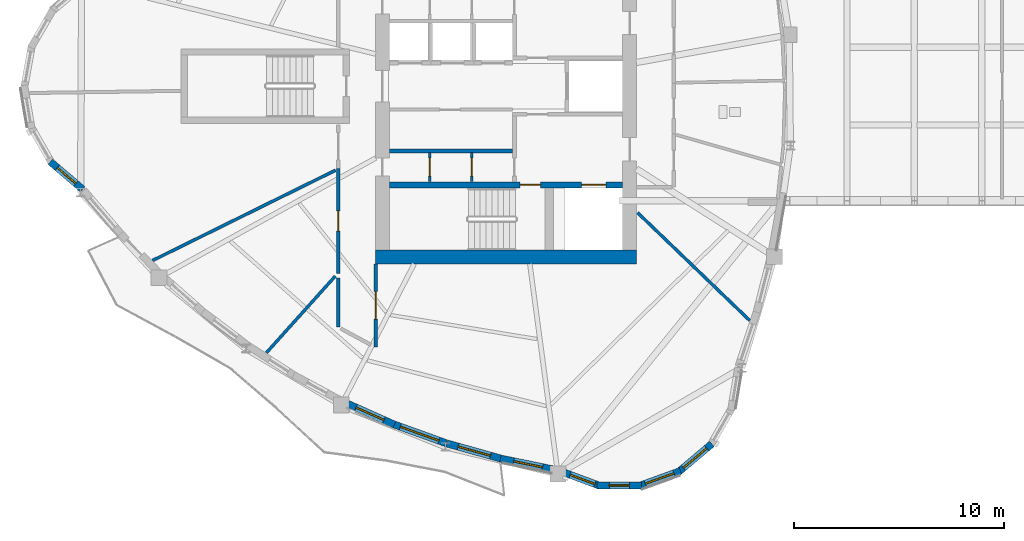
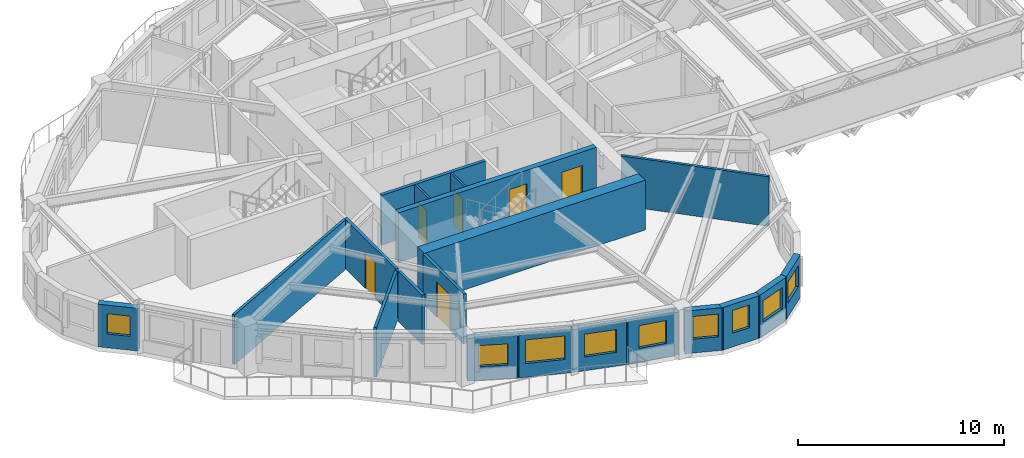
# One storey, part 4 of 13: 20 walls, 9 windows, 6 doors, 15 openings.
"""IFC4 building model written with IfcOpenShell, lengths in metres."""

from ifc_helpers import new_model, si_unit, direction, frame, frame_2d, origin, place, context, subcontext, project, spatial, rectangle, extrude, source, transform, mapped, material, layer, layer_set, type_object, element, fill, save


model = new_model("IFC4")

# Units and contexts
model_context = context("Model", 3, precision=1e-05, world=origin(), true_north=direction((0.0, 1.0)))
body_context = subcontext(model_context, "Body", "Model", "MODEL_VIEW")
ifc_project = project(units=[si_unit("LENGTHUNIT", "METRE"), si_unit("AREAUNIT", "SQUARE_METRE"), si_unit("VOLUMEUNIT", "CUBIC_METRE"), si_unit("PLANEANGLEUNIT", "RADIAN"), si_unit("MASSUNIT", "GRAM", prefix="KILO")], contexts=[model_context])

# Site, building, storey
site_placement = place(None, origin())
site = spatial("IfcSite", under=ifc_project, at=site_placement, CompositionType="ELEMENT")
building_placement = place(site_placement, origin())
building = spatial("IfcBuilding", under=site, at=building_placement, Name="Qafzar Sky-Pleat Residences", CompositionType="ELEMENT")
storey_placement = place(building_placement, frame((0.0, 0.0, 158.60009765625)))
storey = spatial("IfcBuildingStorey", under=building, at=storey_placement, Name="L47", CompositionType="ELEMENT", Elevation=158.60009765625)

# Wall, opening, door
ifc_material_1 = material(Name="Acoustic gypsum plasterboard partition", Category="gypsum")
ifc_layer_1 = layer(ifc_material_1, 0.159912109375)
ifc_layer_set_1 = layer_set([ifc_layer_1], Name="Acoustic gypsum plasterboard partition")
wall_type_1 = type_object("IfcWallType", Name="PART-COR-160", PredefinedType="PARTITIONING", material=ifc_layer_set_1)
wall_1_placement = place(storey_placement, frame((22.3701171875, 17.096923828125, 0.0), z_axis=(0.0, 0.0, 1.0), x_axis=(0.0, 1.0, 0.0)))
wall_1 = element("IfcWall", 1, at=wall_1_placement, inside=storey, type_object=wall_type_1, Name="L47 Partition Wall PART-L47-PW-004", PredefinedType="PARTITIONING", context=body_context, shape_type="SweptSolid", body=[
    extrude(rectangle(XDim=4.982177734375, YDim=0.159912109375, at=frame_2d((2.4912109375, 0.0))), origin(), (0.0, 0.0, 1.0), 2.949951171875),
])
opening_1_placement = place(wall_1_placement, frame((2.013916015625, 0.0, 0.0)))
opening_1 = element("IfcOpeningElement", 2, at=opening_1_placement, cuts=wall_1, Name="Opening ID-06", PredefinedType="OPENING", context=body_context, shape_type="SweptSolid", body=[
    extrude(rectangle(XDim=0.9599609375, YDim=2.10009765625, at=frame_2d((0.47998046875, 1.050048828125))), frame((0.0, 0.08984375, 0.0), z_axis=(0.0, -1.0, 0.0), x_axis=(1.0, 0.0, 0.0)), (0.0, 0.0, 1.0), 0.179931640625),
])
ifc_material_2 = material(Name="Timber-faced fire door", Category="wood")
door_type_1 = type_object("IfcDoorType", Name="DR-STD-960", OperationType="NOTDEFINED", PredefinedType="DOOR", material=ifc_material_2)
shared_shape_1 = source(origin(), body_context, "Body", "SweptSolid", [
    extrude(rectangle(XDim=0.9599609375, YDim=2.10009765625, at=frame_2d((0.47998046875, 1.050048828125))), frame((0.0, 0.02490234375, 0.0), z_axis=(0.0, -1.0, 0.0), x_axis=(1.0, 0.0, 0.0)), (0.0, 0.0, 1.0), 0.050048828125),
])
door_1_placement = place(opening_1_placement, origin())
door_1 = element("IfcDoor", 3, at=door_1_placement, inside=storey, type_object=door_type_1, Name="L47 Scholar Co-Working Workspace Door", OperationType="SINGLE_SWING_RIGHT", OverallHeight=2.10009765625, OverallWidth=0.9599609375, PredefinedType="DOOR", context=body_context, shape_type="MappedRepresentation", body=[
    mapped(shared_shape_1, transform((0.0, 0.0, 0.0), x_axis=(1.0, 0.0, 0.0), y_axis=(0.0, 1.0, 0.0), z_axis=(0.0, 0.0, 1.0), scale=1.0)),
])
fill(opening_1, door_1)

wall_2_placement = place(storey_placement, frame((24.14990234375, 17.5419921875, 0.0), z_axis=(0.0, 0.0, 1.0), x_axis=(0.0, -1.0, 0.0)))
wall_2 = element("IfcWall", 4, at=wall_2_placement, inside=storey, type_object=wall_type_1, Name="L47 Partition Wall PART-L47-PW-007", PredefinedType="PARTITIONING", context=body_context, shape_type="SweptSolid", body=[
    extrude(rectangle(XDim=3.945068359375, YDim=0.159912109375, at=frame_2d((1.97265625, 0.0))), origin(), (0.0, 0.0, 1.0), 2.949951171875),
])
opening_2_placement = place(wall_2_placement, frame((1.318603515625, 0.0, 0.0)))
opening_2 = element("IfcOpeningElement", 5, at=opening_2_placement, cuts=wall_2, Name="Opening ID-05", PredefinedType="OPENING", context=body_context, shape_type="SweptSolid", body=[
    extrude(rectangle(XDim=1.300048828125, YDim=2.10009765625, at=frame_2d((0.64990234375, 1.050048828125))), frame((0.0, 0.08984375, 0.0), z_axis=(0.0, -1.0, 0.0), x_axis=(1.0, 0.0, 0.0)), (0.0, 0.0, 1.0), 0.179931640625),
])
door_type_2 = type_object("IfcDoorType", Name="DR-LNG-1300", OperationType="DOUBLE_DOOR_SINGLE_SWING", PredefinedType="DOOR", material=ifc_material_2)
shared_shape_2 = source(origin(), body_context, "Body", "SweptSolid", [
    extrude(rectangle(XDim=1.300048828125, YDim=2.10009765625, at=frame_2d((0.64990234375, 1.050048828125))), frame((0.0, 0.02490234375, 0.0), z_axis=(0.0, -1.0, 0.0), x_axis=(1.0, 0.0, 0.0)), (0.0, 0.0, 1.0), 0.050048828125),
])
door_2_placement = place(opening_2_placement, origin())
door_2 = element("IfcDoor", 6, at=door_2_placement, inside=storey, type_object=door_type_2, Name="L47 Academic Seminar Room Door", OperationType="DOUBLE_DOOR_SINGLE_SWING", OverallHeight=2.10009765625, OverallWidth=1.300048828125, PredefinedType="DOOR", context=body_context, shape_type="MappedRepresentation", body=[
    mapped(shared_shape_2, transform((0.0, 0.0, 0.0), x_axis=(1.0, 0.0, 0.0), y_axis=(0.0, 1.0, 0.0), z_axis=(0.0, 0.0, 1.0), scale=1.0)),
])
fill(opening_2, door_2)

# Walls
wall_3_placement = place(storey_placement, frame((22.3701171875, 14.5380859375, 0.0), z_axis=(0.0, 0.0, 1.0), x_axis=(0.0, 1.0, 0.0)))
element("IfcWall", 7, at=wall_3_placement, inside=storey, type_object=wall_type_1, Name="L47 Partition Wall PART-L47-PW-029", PredefinedType="PARTITIONING", context=body_context, shape_type="SweptSolid", body=[
    extrude(rectangle(XDim=2.33837890625, YDim=0.159912109375, at=frame_2d((1.169189453125, 0.0))), origin(), (0.0, 0.0, 1.0), 2.949951171875),
])
ifc_material_3 = material(Name="Concrete blockwork partition", Category="masonry")
ifc_layer_2 = layer(ifc_material_3, 0.179931640625)
ifc_layer_set_2 = layer_set([ifc_layer_2], Name="Concrete blockwork partition")
wall_type_2 = type_object("IfcWallType", Name="PART-SHAFT-180", PredefinedType="PARTITIONING", material=ifc_layer_set_2)
wall_4_placement = place(storey_placement, frame((24.81005859375, 22.919921875, 0.0), z_axis=(0.0, 0.0, 1.0), x_axis=(1.0, 0.0, 0.0)))
element("IfcWall", 8, at=wall_4_placement, inside=storey, type_object=wall_type_2, Name="L47 Partition Wall PART-L47-P13-S", PredefinedType="PARTITIONING", context=body_context, shape_type="SweptSolid", body=[
    extrude(rectangle(XDim=5.83984375, YDim=0.179931640625, at=frame_2d((2.919921875, 0.0))), origin(), (0.0, 0.0, 1.0), 2.949951171875),
])

# Wall, opening, door
ifc_material_4 = material(Name="Gypsum plasterboard partition", Category="gypsum")
ifc_layer_3 = layer(ifc_material_4, 0.114990234375)
ifc_layer_set_3 = layer_set([ifc_layer_3], Name="Gypsum plasterboard partition")
wall_type_3 = type_object("IfcWallType", Name="PART-SVC-115", PredefinedType="PARTITIONING", material=ifc_layer_set_3)
wall_5_placement = place(storey_placement, frame((26.72509765625, 21.4599609375, 0.0), z_axis=(0.0, 0.0, 1.0), x_axis=(0.0, 1.0, 0.0)))
wall_5 = element("IfcWall", 9, at=wall_5_placement, inside=storey, type_object=wall_type_3, Name="L47 Partition Wall PART-L47-KC-SW-1", PredefinedType="PARTITIONING", context=body_context, shape_type="SweptSolid", body=[
    extrude(rectangle(XDim=1.380126953125, YDim=0.114990234375, at=frame_2d((0.68994140625, 0.0))), origin(), (0.0, 0.0, 1.0), 2.949951171875),
])
opening_3_placement = place(wall_5_placement, frame((0.260009765625, 0.0, 0.0)))
opening_3 = element("IfcOpeningElement", 10, at=opening_3_placement, cuts=wall_5, Name="Opening ID-09", PredefinedType="OPENING", context=body_context, shape_type="SweptSolid", body=[
    extrude(rectangle(XDim=0.860107421875, YDim=2.050048828125, at=frame_2d((0.43017578125, 1.02490234375))), frame((0.0, 0.0673828125, 0.0), z_axis=(0.0, -1.0, 0.0), x_axis=(1.0, 0.0, 0.0)), (0.0, 0.0, 1.0), 0.135009765625),
])
door_type_3 = type_object("IfcDoorType", Name="DR-SVC-860", OperationType="NOTDEFINED", PredefinedType="DOOR", material=ifc_material_2)
shared_shape_3 = source(origin(), body_context, "Body", "SweptSolid", [
    extrude(rectangle(XDim=0.860107421875, YDim=2.050048828125, at=frame_2d((0.43017578125, 1.02490234375))), frame((0.0, 0.02490234375, 0.0), z_axis=(0.0, -1.0, 0.0), x_axis=(1.0, 0.0, 0.0)), (0.0, 0.0, 1.0), 0.050048828125),
])
door_3_placement = place(opening_3_placement, origin())
door_3 = element("IfcDoor", 11, at=door_3_placement, inside=storey, type_object=door_type_3, Name="L47 Core South Cupboard 1 Door", OperationType="SINGLE_SWING_LEFT", OverallHeight=2.050048828125, OverallWidth=0.860107421875, PredefinedType="DOOR", context=body_context, shape_type="MappedRepresentation", body=[
    mapped(shared_shape_3, transform((0.0, 0.0, 0.0), x_axis=(1.0, 0.0, 0.0), y_axis=(0.0, 1.0, 0.0), z_axis=(0.0, 0.0, 1.0), scale=1.0)),
])
fill(opening_3, door_3)

wall_6_placement = place(storey_placement, frame((28.72509765625, 21.4599609375, 0.0), z_axis=(0.0, 0.0, 1.0), x_axis=(0.0, 1.0, 0.0)))
wall_6 = element("IfcWall", 12, at=wall_6_placement, inside=storey, type_object=wall_type_3, Name="L47 Partition Wall PART-L47-KC-SW-2", PredefinedType="PARTITIONING", context=body_context, shape_type="SweptSolid", body=[
    extrude(rectangle(XDim=1.380126953125, YDim=0.114990234375, at=frame_2d((0.68994140625, 0.0))), origin(), (0.0, 0.0, 1.0), 2.949951171875),
])
opening_4_placement = place(wall_6_placement, frame((0.260009765625, 0.0, 0.0)))
opening_4 = element("IfcOpeningElement", 13, at=opening_4_placement, cuts=wall_6, Name="Opening ID-09", PredefinedType="OPENING", context=body_context, shape_type="SweptSolid", body=[
    extrude(rectangle(XDim=0.860107421875, YDim=2.050048828125, at=frame_2d((0.43017578125, 1.02490234375))), frame((0.0, 0.0673828125, 0.0), z_axis=(0.0, -1.0, 0.0), x_axis=(1.0, 0.0, 0.0)), (0.0, 0.0, 1.0), 0.135009765625),
])
door_4_placement = place(opening_4_placement, origin())
door_4 = element("IfcDoor", 14, at=door_4_placement, inside=storey, type_object=door_type_3, Name="L47 Core South Cupboard 2 Door", OperationType="SINGLE_SWING_LEFT", OverallHeight=2.050048828125, OverallWidth=0.860107421875, PredefinedType="DOOR", context=body_context, shape_type="MappedRepresentation", body=[
    mapped(shared_shape_3, transform((0.0, 0.0, 0.0), x_axis=(1.0, 0.0, 0.0), y_axis=(0.0, 1.0, 0.0), z_axis=(0.0, 0.0, 1.0), scale=1.0)),
])
fill(opening_4, door_4)

# Walls
ifc_layer_4 = layer(ifc_material_1, 0.14501953125)
ifc_layer_set_4 = layer_set([ifc_layer_4], Name="Acoustic gypsum plasterboard partition")
wall_type_4 = type_object("IfcWallType", Name="PART-UNIT-145", PredefinedType="PARTITIONING", material=ifc_layer_set_4)
wall_7_placement = place(storey_placement, frame((13.5400390625, 17.705810546875, 0.0), z_axis=(0.0, 0.0, 1.0), x_axis=(0.896762400541, 0.442512369291, 0.0)))
element("IfcWall", 15, at=wall_7_placement, inside=storey, type_object=wall_type_4, Name="L47 Partition Wall PART-L47-PW-016", PredefinedType="PARTITIONING", context=body_context, shape_type="SweptSolid", body=[
    extrude(rectangle(XDim=9.71337890625, YDim=0.14501953125, at=frame_2d((4.856689453125, 0.0))), origin(), (0.0, 0.0, 1.0), 2.949951171875),
])
wall_8_placement = place(storey_placement, frame((36.60595703125, 19.983154296875, 0.0), z_axis=(0.0, 0.0, 1.0), x_axis=(0.720776649136, -0.69316738387, 0.0)))
element("IfcWall", 16, at=wall_8_placement, inside=storey, type_object=wall_type_4, Name="L47 Partition Wall PART-L47-PW-018", PredefinedType="PARTITIONING", context=body_context, shape_type="SweptSolid", body=[
    extrude(rectangle(XDim=7.4013671875, YDim=0.14501953125, at=frame_2d((3.70068359375, 0.0))), origin(), (0.0, 0.0, 1.0), 2.949951171875),
])
wall_9_placement = place(storey_placement, frame((18.957275390625, 13.321533203125, 0.0), z_axis=(0.0, 0.0, 1.0), x_axis=(0.66841369867, 0.743789706456, 0.0)))
element("IfcWall", 17, at=wall_9_placement, inside=storey, type_object=wall_type_4, Name="L47 Partition Wall PART-L47-PW-024", PredefinedType="PARTITIONING", context=body_context, shape_type="SweptSolid", body=[
    extrude(rectangle(XDim=4.897216796875, YDim=0.14501953125, at=frame_2d((2.44873046875, 0.0))), origin(), (0.0, 0.0, 1.0), 2.949951171875),
])

# Wall, opening, window
ifc_material_5 = material(Name="Precast concrete C40/50 with honed Riyadh limestone", Category="concrete")
ifc_layer_5 = layer(ifc_material_5, 0.340087890625)
ifc_layer_set_5 = layer_set([ifc_layer_5], Name="Precast concrete C40/50 with honed Riyadh limestone")
wall_type_5 = type_object("IfcWallType", Name="WALL-EXT-340", PredefinedType="SOLIDWALL", material=ifc_layer_set_5)
wall_10_placement = place(storey_placement, frame((8.682373046875, 22.406005859375, 0.0), z_axis=(0.0, 0.0, 1.0), x_axis=(0.760269373804, -0.649607942728, 0.0)))
wall_10 = element("IfcWall", 18, at=wall_10_placement, inside=storey, type_object=wall_type_5, Name="L47 Limestone Facade Wall 6", PredefinedType="SOLIDWALL", context=body_context, shape_type="SweptSolid", body=[
    extrude(rectangle(XDim=2.023193359375, YDim=0.340087890625, at=frame_2d((1.01171875, 0.0))), origin(), (0.0, 0.0, 1.0), 2.52978515625),
])
opening_5_placement = place(wall_10_placement, frame((0.446533203125, 0.0, 0.820068359375)))
opening_5 = element("IfcOpeningElement", 19, at=opening_5_placement, cuts=wall_10, Name="Opening WN-16", PredefinedType="OPENING", context=body_context, shape_type="SweptSolid", body=[
    extrude(rectangle(XDim=1.14990234375, YDim=1.199951171875, at=frame_2d((0.574951171875, 0.60009765625))), frame((0.0, 0.18017578125, 0.0), z_axis=(0.0, -1.0, 0.0), x_axis=(1.0, 0.0, 0.0)), (0.0, 0.0, 1.0), 0.360107421875),
])
ifc_material_6 = material(Name="Solar-control low-E glass in bronze aluminium frame", Category="glass")
window_type_1 = type_object("IfcWindowType", Name="WIN-16", PartitioningType="SINGLE_PANEL", PredefinedType="WINDOW", material=ifc_material_6)
shared_shape_4 = source(origin(), body_context, "Body", "SweptSolid", [
    extrude(rectangle(XDim=1.14990234375, YDim=1.199951171875, at=frame_2d((0.574951171875, 0.60009765625))), frame((0.0, 0.030029296875, 0.0), z_axis=(0.0, -1.0, 0.0), x_axis=(1.0, 0.0, 0.0)), (0.0, 0.0, 1.0), 0.06005859375),
])
window_1_placement = place(opening_5_placement, origin())
window_1 = element("IfcWindow", 20, at=window_1_placement, inside=storey, type_object=window_type_1, Name="L47 Punched Facade Window 06", OverallHeight=1.199951171875, OverallWidth=1.14990234375, PartitioningType="SINGLE_PANEL", PredefinedType="WINDOW", context=body_context, shape_type="MappedRepresentation", body=[
    mapped(shared_shape_4, transform((0.0, 0.0, 0.0), x_axis=(1.0, 0.0, 0.0), y_axis=(0.0, 1.0, 0.0), z_axis=(0.0, 0.0, 1.0), scale=1.0)),
])
fill(opening_5, window_1)

wall_11_placement = place(storey_placement, frame((22.729736328125, 10.93505859375, 0.0), z_axis=(0.0, 0.0, 1.0), x_axis=(0.91319100356, -0.407531828226, 0.0)))
wall_11 = element("IfcWall", 21, at=wall_11_placement, inside=storey, type_object=wall_type_5, Name="L47 Limestone Facade Wall 13", PredefinedType="SOLIDWALL", context=body_context, shape_type="SweptSolid", body=[
    extrude(rectangle(XDim=2.53515625, YDim=0.340087890625, at=frame_2d((1.267578125, 0.0))), origin(), (0.0, 0.0, 1.0), 2.52978515625),
])
opening_6_placement = place(wall_11_placement, frame((0.53759765625, 0.0, 0.820068359375)))
opening_6 = element("IfcOpeningElement", 22, at=opening_6_placement, cuts=wall_11, Name="Opening WN-15", PredefinedType="OPENING", context=body_context, shape_type="SweptSolid", body=[
    extrude(rectangle(XDim=1.449951171875, YDim=1.25, at=frame_2d((0.72509765625, 0.625))), frame((0.0, 0.18017578125, 0.0), z_axis=(0.0, -1.0, 0.0), x_axis=(1.0, 0.0, 0.0)), (0.0, 0.0, 1.0), 0.360107421875),
])
window_type_2 = type_object("IfcWindowType", Name="WIN-15", PartitioningType="SINGLE_PANEL", PredefinedType="WINDOW", material=ifc_material_6)
shared_shape_5 = source(origin(), body_context, "Body", "SweptSolid", [
    extrude(rectangle(XDim=1.449951171875, YDim=1.25, at=frame_2d((0.72509765625, 0.625))), frame((0.0, 0.030029296875, 0.0), z_axis=(0.0, -1.0, 0.0), x_axis=(1.0, 0.0, 0.0)), (0.0, 0.0, 1.0), 0.06005859375),
])
window_2_placement = place(opening_6_placement, origin())
window_2 = element("IfcWindow", 23, at=window_2_placement, inside=storey, type_object=window_type_2, Name="L47 Punched Facade Window 13", OverallHeight=1.25, OverallWidth=1.449951171875, PartitioningType="SINGLE_PANEL", PredefinedType="WINDOW", context=body_context, shape_type="MappedRepresentation", body=[
    mapped(shared_shape_5, transform((0.0, 0.0, 0.0), x_axis=(1.0, 0.0, 0.0), y_axis=(0.0, 1.0, 0.0), z_axis=(0.0, 0.0, 1.0), scale=1.0)),
])
fill(opening_6, window_2)

wall_12_placement = place(storey_placement, frame((24.962646484375, 9.934814453125, 0.0), z_axis=(0.0, 0.0, 1.0), x_axis=(0.940931201947, -0.338597804486, 0.0)))
wall_12 = element("IfcWall", 24, at=wall_12_placement, inside=storey, type_object=wall_type_5, Name="L47 Limestone Facade Wall 14", PredefinedType="SOLIDWALL", context=body_context, shape_type="SweptSolid", body=[
    extrude(rectangle(XDim=2.7001953125, YDim=0.340087890625, at=frame_2d((1.35009765625, 0.0))), origin(), (0.0, 0.0, 1.0), 2.52978515625),
])
opening_7_placement = place(wall_12_placement, frame((0.38525390625, 0.0, 0.820068359375)))
opening_7 = element("IfcOpeningElement", 25, at=opening_7_placement, cuts=wall_12, Name="Opening WN-08", PredefinedType="OPENING", context=body_context, shape_type="SweptSolid", body=[
    extrude(rectangle(XDim=1.949951171875, YDim=1.39990234375, at=frame_2d((0.97509765625, 0.699951171875))), frame((0.0, 0.18017578125, 0.0), z_axis=(0.0, -1.0, 0.0), x_axis=(1.0, 0.0, 0.0)), (0.0, 0.0, 1.0), 0.360107421875),
])
window_type_3 = type_object("IfcWindowType", Name="WIN-08", PartitioningType="DOUBLE_PANEL_VERTICAL", PredefinedType="WINDOW", material=ifc_material_6)
shared_shape_6 = source(origin(), body_context, "Body", "SweptSolid", [
    extrude(rectangle(XDim=1.949951171875, YDim=1.39990234375, at=frame_2d((0.97509765625, 0.699951171875))), frame((0.0, 0.030029296875, 0.0), z_axis=(0.0, -1.0, 0.0), x_axis=(1.0, 0.0, 0.0)), (0.0, 0.0, 1.0), 0.06005859375),
])
window_3_placement = place(opening_7_placement, origin())
window_3 = element("IfcWindow", 26, at=window_3_placement, inside=storey, type_object=window_type_3, Name="L47 Punched Facade Window 14", OverallHeight=1.39990234375, OverallWidth=1.949951171875, PartitioningType="SINGLE_PANEL", PredefinedType="WINDOW", context=body_context, shape_type="MappedRepresentation", body=[
    mapped(shared_shape_6, transform((0.0, 0.0, 0.0), x_axis=(1.0, 0.0, 0.0), y_axis=(0.0, 1.0, 0.0), z_axis=(0.0, 0.0, 1.0), scale=1.0)),
])
fill(opening_7, window_3)

wall_13_placement = place(storey_placement, frame((27.52978515625, 9.011962890625, 0.0), z_axis=(0.0, 0.0, 1.0), x_axis=(0.962871583056, -0.26995983876, 0.0)))
wall_13 = element("IfcWall", 27, at=wall_13_placement, inside=storey, type_object=wall_type_5, Name="L47 Limestone Facade Wall 15", PredefinedType="SOLIDWALL", context=body_context, shape_type="SweptSolid", body=[
    extrude(rectangle(XDim=2.74462890625, YDim=0.340087890625, at=frame_2d((1.372314453125, 0.0))), origin(), (0.0, 0.0, 1.0), 2.52978515625),
])
opening_8_placement = place(wall_13_placement, frame((0.5625, 0.0, 0.820068359375)))
opening_8 = element("IfcOpeningElement", 28, at=opening_8_placement, cuts=wall_13, Name="Opening WN-09", PredefinedType="OPENING", context=body_context, shape_type="SweptSolid", body=[
    extrude(rectangle(XDim=1.60009765625, YDim=1.35009765625, at=frame_2d((0.800048828125, 0.675048828125))), frame((0.0, 0.18017578125, 0.0), z_axis=(0.0, -1.0, 0.0), x_axis=(1.0, 0.0, 0.0)), (0.0, 0.0, 1.0), 0.360107421875),
])
window_type_4 = type_object("IfcWindowType", Name="WIN-09", PartitioningType="DOUBLE_PANEL_VERTICAL", PredefinedType="WINDOW", material=ifc_material_6)
shared_shape_7 = source(origin(), body_context, "Body", "SweptSolid", [
    extrude(rectangle(XDim=1.60009765625, YDim=1.35009765625, at=frame_2d((0.800048828125, 0.675048828125))), frame((0.0, 0.030029296875, 0.0), z_axis=(0.0, -1.0, 0.0), x_axis=(1.0, 0.0, 0.0)), (0.0, 0.0, 1.0), 0.06005859375),
])
window_4_placement = place(opening_8_placement, origin())
window_4 = element("IfcWindow", 29, at=window_4_placement, inside=storey, type_object=window_type_4, Name="L47 Punched Facade Window 15", OverallHeight=1.35009765625, OverallWidth=1.60009765625, PartitioningType="SINGLE_PANEL", PredefinedType="WINDOW", context=body_context, shape_type="MappedRepresentation", body=[
    mapped(shared_shape_7, transform((0.0, 0.0, 0.0), x_axis=(1.0, 0.0, 0.0), y_axis=(0.0, 1.0, 0.0), z_axis=(0.0, 0.0, 1.0), scale=1.0)),
])
fill(opening_8, window_4)

wall_14_placement = place(storey_placement, frame((30.08740234375, 8.2919921875, 0.0), z_axis=(0.0, 0.0, 1.0), x_axis=(0.97931860195, -0.202324185097, 0.0)))
wall_14 = element("IfcWall", 30, at=wall_14_placement, inside=storey, type_object=wall_type_5, Name="L47 Limestone Facade Wall 16", PredefinedType="SOLIDWALL", context=body_context, shape_type="SweptSolid", body=[
    extrude(rectangle(XDim=2.66796875, YDim=0.340087890625, at=frame_2d((1.333984375, 0.0))), origin(), (0.0, 0.0, 1.0), 2.52978515625),
])
opening_9_placement = place(wall_14_placement, frame((0.638916015625, 0.0, 0.820068359375)))
opening_9 = element("IfcOpeningElement", 31, at=opening_9_placement, cuts=wall_14, Name="Opening WN-10", PredefinedType="OPENING", context=body_context, shape_type="SweptSolid", body=[
    extrude(rectangle(XDim=1.39990234375, YDim=1.35009765625, at=frame_2d((0.699951171875, 0.675048828125))), frame((0.0, 0.18017578125, 0.0), z_axis=(0.0, -1.0, 0.0), x_axis=(1.0, 0.0, 0.0)), (0.0, 0.0, 1.0), 0.360107421875),
])
window_type_5 = type_object("IfcWindowType", Name="WIN-10", PartitioningType="SINGLE_PANEL", PredefinedType="WINDOW", material=ifc_material_6)
shared_shape_8 = source(origin(), body_context, "Body", "SweptSolid", [
    extrude(rectangle(XDim=1.39990234375, YDim=1.35009765625, at=frame_2d((0.699951171875, 0.675048828125))), frame((0.0, 0.030029296875, 0.0), z_axis=(0.0, -1.0, 0.0), x_axis=(1.0, 0.0, 0.0)), (0.0, 0.0, 1.0), 0.06005859375),
])
window_5_placement = place(opening_9_placement, origin())
window_5 = element("IfcWindow", 32, at=window_5_placement, inside=storey, type_object=window_type_5, Name="L47 Punched Facade Window 16", OverallHeight=1.35009765625, OverallWidth=1.39990234375, PartitioningType="SINGLE_PANEL", PredefinedType="WINDOW", context=body_context, shape_type="MappedRepresentation", body=[
    mapped(shared_shape_8, transform((0.0, 0.0, 0.0), x_axis=(1.0, 0.0, 0.0), y_axis=(0.0, 1.0, 0.0), z_axis=(0.0, 0.0, 1.0), scale=1.0)),
])
fill(opening_9, window_5)

wall_15_placement = place(storey_placement, frame((33.022216796875, 7.659423828125, 0.0), z_axis=(0.0, 0.0, 1.0), x_axis=(0.936898854489, -0.349600538411, 0.0)))
wall_15 = element("IfcWall", 33, at=wall_15_placement, inside=storey, type_object=wall_type_5, Name="L47 Limestone Facade Wall 17", PredefinedType="SOLIDWALL", context=body_context, shape_type="SweptSolid", body=[
    extrude(rectangle(XDim=1.91552734375, YDim=0.340087890625, at=frame_2d((0.957763671875, 0.0))), origin(), (0.0, 0.0, 1.0), 2.52978515625),
])
opening_10_placement = place(wall_15_placement, frame((0.40771484375, 0.0, 0.820068359375)))
opening_10 = element("IfcOpeningElement", 34, at=opening_10_placement, cuts=wall_15, Name="Opening WN-11", PredefinedType="OPENING", context=body_context, shape_type="SweptSolid", body=[
    extrude(rectangle(XDim=1.25, YDim=1.35009765625, at=frame_2d((0.625, 0.675048828125))), frame((0.0, 0.18017578125, 0.0), z_axis=(0.0, -1.0, 0.0), x_axis=(1.0, 0.0, 0.0)), (0.0, 0.0, 1.0), 0.360107421875),
])
window_type_6 = type_object("IfcWindowType", Name="WIN-11", PartitioningType="SINGLE_PANEL", PredefinedType="WINDOW", material=ifc_material_6)
shared_shape_9 = source(origin(), body_context, "Body", "SweptSolid", [
    extrude(rectangle(XDim=1.25, YDim=1.35009765625, at=frame_2d((0.625, 0.675048828125))), frame((0.0, 0.030029296875, 0.0), z_axis=(0.0, -1.0, 0.0), x_axis=(1.0, 0.0, 0.0)), (0.0, 0.0, 1.0), 0.06005859375),
])
window_6_placement = place(opening_10_placement, origin())
window_6 = element("IfcWindow", 35, at=window_6_placement, inside=storey, type_object=window_type_6, Name="L47 Punched Facade Window 17", OverallHeight=1.35009765625, OverallWidth=1.25, PartitioningType="SINGLE_PANEL", PredefinedType="WINDOW", context=body_context, shape_type="MappedRepresentation", body=[
    mapped(shared_shape_9, transform((0.0, 0.0, 0.0), x_axis=(1.0, 0.0, 0.0), y_axis=(0.0, 1.0, 0.0), z_axis=(0.0, 0.0, 1.0), scale=1.0)),
])
fill(opening_10, window_6)

wall_16_placement = place(storey_placement, frame((34.684814453125, 7.013916015625, 0.0), z_axis=(0.0, 0.0, 1.0), x_axis=(0.9999881768, -0.004862742089, 0.0)))
wall_16 = element("IfcWall", 36, at=wall_16_placement, inside=storey, type_object=wall_type_5, Name="L47 Limestone Facade Wall 18", PredefinedType="SOLIDWALL", context=body_context, shape_type="SweptSolid", body=[
    extrude(rectangle(XDim=2.108642578125, YDim=0.340087890625, at=frame_2d((1.05419921875, 0.0))), origin(), (0.0, 0.0, 1.0), 2.52978515625),
])
opening_11_placement = place(wall_16_placement, frame((0.579345703125, 0.0, 0.820068359375)))
opening_11 = element("IfcOpeningElement", 37, at=opening_11_placement, cuts=wall_16, Name="Opening WN-12", PredefinedType="OPENING", context=body_context, shape_type="SweptSolid", body=[
    extrude(rectangle(XDim=0.949951171875, YDim=1.35009765625, at=frame_2d((0.47509765625, 0.675048828125))), frame((0.0, 0.18017578125, 0.0), z_axis=(0.0, -1.0, 0.0), x_axis=(1.0, 0.0, 0.0)), (0.0, 0.0, 1.0), 0.360107421875),
])
window_type_7 = type_object("IfcWindowType", Name="WIN-12", PartitioningType="SINGLE_PANEL", PredefinedType="WINDOW", material=ifc_material_6)
shared_shape_10 = source(origin(), body_context, "Body", "SweptSolid", [
    extrude(rectangle(XDim=0.949951171875, YDim=1.35009765625, at=frame_2d((0.47509765625, 0.675048828125))), frame((0.0, 0.030029296875, 0.0), z_axis=(0.0, -1.0, 0.0), x_axis=(1.0, 0.0, 0.0)), (0.0, 0.0, 1.0), 0.06005859375),
])
window_7_placement = place(opening_11_placement, origin())
window_7 = element("IfcWindow", 38, at=window_7_placement, inside=storey, type_object=window_type_7, Name="L47 Punched Facade Window 18", OverallHeight=1.35009765625, OverallWidth=0.949951171875, PartitioningType="SINGLE_PANEL", PredefinedType="WINDOW", context=body_context, shape_type="MappedRepresentation", body=[
    mapped(shared_shape_10, transform((0.0, 0.0, 0.0), x_axis=(1.0, 0.0, 0.0), y_axis=(0.0, 1.0, 0.0), z_axis=(0.0, 0.0, 1.0), scale=1.0)),
])
fill(opening_11, window_7)

wall_17_placement = place(storey_placement, frame((36.6611328125, 6.980712890625, 0.0), z_axis=(0.0, 0.0, 1.0), x_axis=(0.940242205015, 0.340506381597, 0.0)))
wall_17 = element("IfcWall", 39, at=wall_17_placement, inside=storey, type_object=wall_type_5, Name="L47 Limestone Facade Wall 19", PredefinedType="SOLIDWALL", context=body_context, shape_type="SweptSolid", body=[
    extrude(rectangle(XDim=2.108642578125, YDim=0.340087890625, at=frame_2d((1.05419921875, 0.0))), origin(), (0.0, 0.0, 1.0), 2.52978515625),
])
opening_12_placement = place(wall_17_placement, frame((0.329345703125, 0.0, 0.820068359375)))
opening_12 = element("IfcOpeningElement", 40, at=opening_12_placement, cuts=wall_17, Name="Opening WN-15", PredefinedType="OPENING", context=body_context, shape_type="SweptSolid", body=[
    extrude(rectangle(XDim=1.449951171875, YDim=1.25, at=frame_2d((0.72509765625, 0.625))), frame((0.0, 0.18017578125, 0.0), z_axis=(0.0, -1.0, 0.0), x_axis=(1.0, 0.0, 0.0)), (0.0, 0.0, 1.0), 0.360107421875),
])
window_8_placement = place(opening_12_placement, origin())
window_8 = element("IfcWindow", 41, at=window_8_placement, inside=storey, type_object=window_type_2, Name="L47 Punched Facade Window 19", OverallHeight=1.25, OverallWidth=1.449951171875, PartitioningType="SINGLE_PANEL", PredefinedType="WINDOW", context=body_context, shape_type="MappedRepresentation", body=[
    mapped(shared_shape_5, transform((0.0, 0.0, 0.0), x_axis=(1.0, 0.0, 0.0), y_axis=(0.0, 1.0, 0.0), z_axis=(0.0, 0.0, 1.0), scale=1.0)),
])
fill(opening_12, window_8)

wall_18_placement = place(storey_placement, frame((38.52734375, 7.631591796875, 0.0), z_axis=(0.0, 0.0, 1.0), x_axis=(0.76506129474, 0.643957463883, 0.0)))
wall_18 = element("IfcWall", 42, at=wall_18_placement, inside=storey, type_object=wall_type_5, Name="L47 Limestone Facade Wall 20", PredefinedType="SOLIDWALL", context=body_context, shape_type="SweptSolid", body=[
    extrude(rectangle(XDim=2.108642578125, YDim=0.340087890625, at=frame_2d((1.05419921875, 0.0))), origin(), (0.0, 0.0, 1.0), 2.52978515625),
])
opening_13_placement = place(wall_18_placement, frame((0.329345703125, 0.0, 0.820068359375)))
opening_13 = element("IfcOpeningElement", 43, at=opening_13_placement, cuts=wall_18, Name="Opening WN-15", PredefinedType="OPENING", context=body_context, shape_type="SweptSolid", body=[
    extrude(rectangle(XDim=1.449951171875, YDim=1.25, at=frame_2d((0.72509765625, 0.625))), frame((0.0, 0.18017578125, 0.0), z_axis=(0.0, -1.0, 0.0), x_axis=(1.0, 0.0, 0.0)), (0.0, 0.0, 1.0), 0.360107421875),
])
window_9_placement = place(opening_13_placement, origin())
window_9 = element("IfcWindow", 44, at=window_9_placement, inside=storey, type_object=window_type_2, Name="L47 Punched Facade Window 20", OverallHeight=1.25, OverallWidth=1.449951171875, PartitioningType="SINGLE_PANEL", PredefinedType="WINDOW", context=body_context, shape_type="MappedRepresentation", body=[
    mapped(shared_shape_5, transform((0.0, 0.0, 0.0), x_axis=(1.0, 0.0, 0.0), y_axis=(0.0, 1.0, 0.0), z_axis=(0.0, 0.0, 1.0), scale=1.0)),
])
fill(opening_13, window_9)

# Wall, openings, doors
ifc_material_7 = material(Name="Concrete C60/75", Category="concrete")
ifc_layer_6 = layer(ifc_material_7, 0.300048828125)
ifc_layer_set_6 = layer_set([ifc_layer_6], Name="Concrete C60/75")
wall_type_6 = type_object("IfcWallType", Name="WALL-SHEAR-300", PredefinedType="SHEAR", material=ifc_layer_set_6)
wall_19_placement = place(storey_placement, frame((24.800048828125, 21.300048828125, 0.0), z_axis=(0.0, 0.0, 1.0), x_axis=(1.0, 0.0, 0.0)))
wall_19 = element("IfcWall", 45, at=wall_19_placement, inside=storey, type_object=wall_type_6, Name="L47 Stair ST1 and FF1 Shaft North Wall", PredefinedType="SHEAR", context=body_context, shape_type="SweptSolid", body=[
    extrude(rectangle(XDim=11.099853515625, YDim=0.300048828125, at=frame_2d((5.5498046875, 0.0))), origin(), (0.0, 0.0, 1.0), 2.949951171875),
])
opening_14_placement = place(wall_19_placement, frame((6.219970703125, 0.0, 0.0)))
opening_14 = element("IfcOpeningElement", 46, at=opening_14_placement, cuts=wall_19, Name="Opening ID-01", PredefinedType="OPENING", context=body_context, shape_type="SweptSolid", body=[
    extrude(rectangle(XDim=0.97998046875, YDim=2.14990234375, at=frame_2d((0.489990234375, 1.074951171875))), frame((0.0, 0.16015625, 0.0), z_axis=(0.0, -1.0, 0.0), x_axis=(1.0, 0.0, 0.0)), (0.0, 0.0, 1.0), 0.320068359375),
])
opening_15_placement = place(wall_19_placement, frame((9.14990234375, 0.0, 0.0)))
opening_15 = element("IfcOpeningElement", 47, at=opening_15_placement, cuts=wall_19, Name="Opening LD-02", PredefinedType="OPENING", context=body_context, shape_type="SweptSolid", body=[
    extrude(rectangle(XDim=1.14990234375, YDim=2.14990234375, at=frame_2d((0.574951171875, 1.074951171875))), frame((0.0, 0.16015625, 0.0), z_axis=(0.0, -1.0, 0.0), x_axis=(1.0, 0.0, 0.0)), (0.0, 0.0, 1.0), 0.320068359375),
])
door_type_4 = type_object("IfcDoorType", Name="DR-STAIR-980", OperationType="NOTDEFINED", PredefinedType="DOOR", material=ifc_material_2)
shared_shape_11 = source(origin(), body_context, "Body", "SweptSolid", [
    extrude(rectangle(XDim=0.97998046875, YDim=2.14990234375, at=frame_2d((0.489990234375, 1.074951171875))), frame((0.0, 0.02490234375, 0.0), z_axis=(0.0, -1.0, 0.0), x_axis=(1.0, 0.0, 0.0)), (0.0, 0.0, 1.0), 0.050048828125),
])
door_5_placement = place(opening_14_placement, origin())
door_5 = element("IfcDoor", 48, at=door_5_placement, inside=storey, type_object=door_type_4, Name="L47 Stair ST1 Fire Door", OperationType="SINGLE_SWING_LEFT", OverallHeight=2.14990234375, OverallWidth=0.97998046875, PredefinedType="DOOR", context=body_context, shape_type="MappedRepresentation", body=[
    mapped(shared_shape_11, transform((0.0, 0.0, 0.0), x_axis=(1.0, 0.0, 0.0), y_axis=(0.0, 1.0, 0.0), z_axis=(0.0, 0.0, 1.0), scale=1.0)),
])
fill(opening_14, door_5)
ifc_material_8 = material(Name="Stainless steel sliding landing door", Category="steel")
door_type_5 = type_object("IfcDoorType", Name="DR-LIFT-FF", OperationType="DOUBLE_DOOR_SLIDING", PredefinedType="DOOR", material=ifc_material_8)
shared_shape_12 = source(origin(), body_context, "Body", "SweptSolid", [
    extrude(rectangle(XDim=1.14990234375, YDim=2.14990234375, at=frame_2d((0.574951171875, 1.074951171875))), frame((0.0, 0.02490234375, 0.0), z_axis=(0.0, -1.0, 0.0), x_axis=(1.0, 0.0, 0.0)), (0.0, 0.0, 1.0), 0.050048828125),
])
door_6_placement = place(opening_15_placement, origin())
door_6 = element("IfcDoor", 49, at=door_6_placement, inside=storey, type_object=door_type_5, Name="L47 Firefighting Lift FF1 Landing Door", OperationType="DOUBLE_DOOR_SLIDING", OverallHeight=2.14990234375, OverallWidth=1.14990234375, PredefinedType="DOOR", context=body_context, shape_type="MappedRepresentation", body=[
    mapped(shared_shape_12, transform((0.0, 0.0, 0.0), x_axis=(1.0, 0.0, 0.0), y_axis=(0.0, 1.0, 0.0), z_axis=(0.0, 0.0, 1.0), scale=1.0)),
])
fill(opening_15, door_6)

# Wall
ifc_layer_7 = layer(ifc_material_7, 0.64990234375)
ifc_layer_set_7 = layer_set([ifc_layer_7], Name="Concrete C60/75")
wall_type_7 = type_object("IfcWallType", Name="WALL-SHEAR-650", PredefinedType="SHEAR", material=ifc_layer_set_7)
wall_20_placement = place(storey_placement, frame((24.14990234375, 17.875, 0.0), z_axis=(0.0, 0.0, 1.0), x_axis=(1.0, 0.0, 0.0)))
element("IfcWall", 50, at=wall_20_placement, inside=storey, type_object=wall_type_7, Name="L47 CORE wall S", PredefinedType="SHEAR", context=body_context, shape_type="SweptSolid", body=[
    extrude(rectangle(XDim=12.400146484375, YDim=0.64990234375, at=frame_2d((6.2001953125, 0.0))), origin(), (0.0, 0.0, 1.0), 2.949951171875),
])

save(model, "model.ifc")
